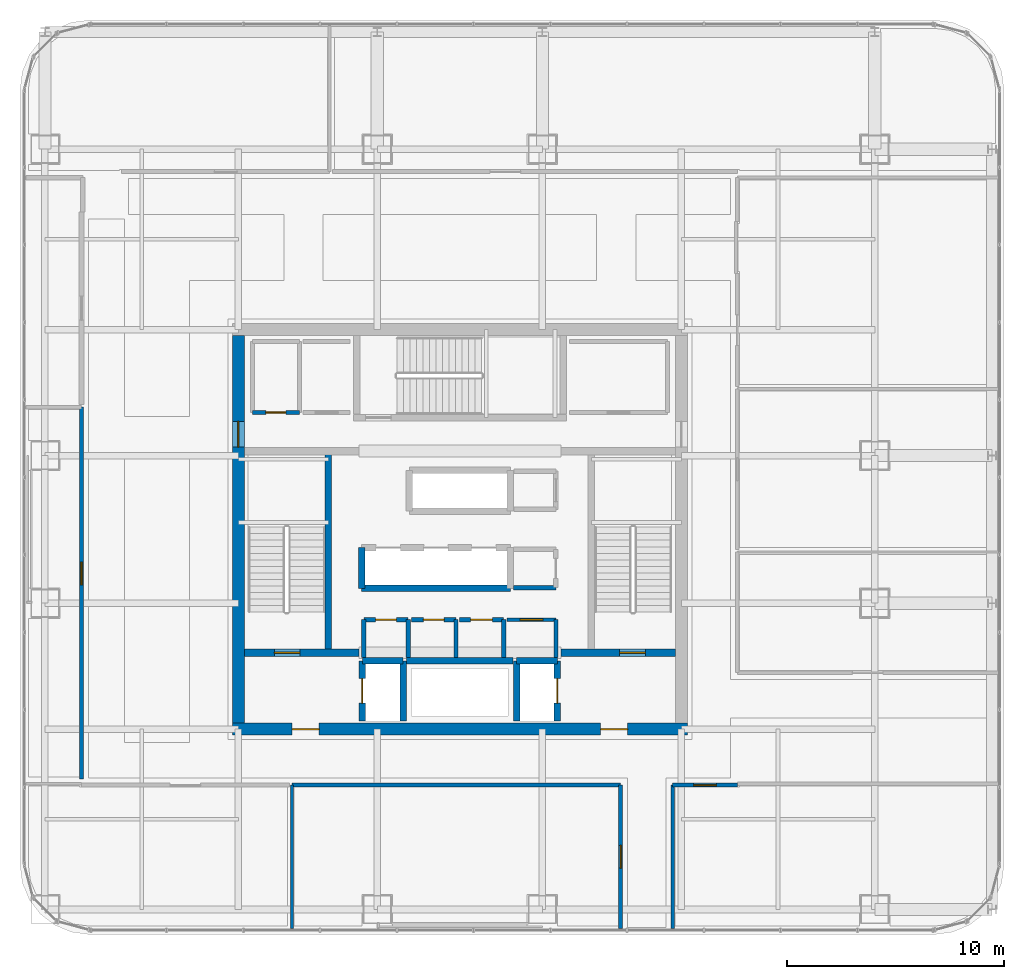
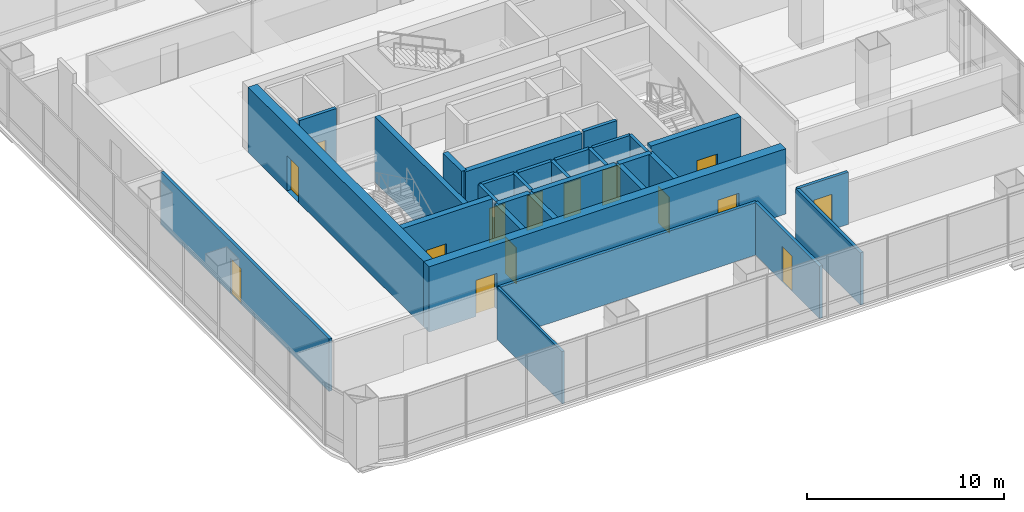
# One storey, part 33 of 42: 31 walls, 15 doors, 15 openings.
"""IFC4 building model written with IfcOpenShell, lengths in metres."""

from ifc_helpers import new_model, si_unit, direction, frame, frame_2d, origin, place, context, subcontext, project, spatial, rectangle, extrude, material, layer, layer_set, type_object, element, fill, save


model = new_model("IFC4")

# Units and contexts
model_context = context("Model", 3, precision=1e-05, world=origin(), true_north=direction((0.0, 1.0)))
body_context = subcontext(model_context, "Body", "Model", "MODEL_VIEW")
ifc_project = project(units=[si_unit("LENGTHUNIT", "METRE"), si_unit("AREAUNIT", "SQUARE_METRE"), si_unit("VOLUMEUNIT", "CUBIC_METRE"), si_unit("PLANEANGLEUNIT", "RADIAN"), si_unit("MASSUNIT", "GRAM", prefix="KILO")], contexts=[model_context])

# Site, building, storey
site_placement = place(None, origin())
site = spatial("IfcSite", under=ifc_project, at=site_placement, CompositionType="ELEMENT")
building_placement = place(site_placement, origin())
building = spatial("IfcBuilding", under=site, at=building_placement, Name="Punatoya Terracotta Tower", CompositionType="ELEMENT")
storey_placement = place(building_placement, frame((0.0, 0.0, 255.449951171875)))
storey = spatial("IfcBuildingStorey", under=building, at=storey_placement, Name="L60", CompositionType="ELEMENT", Elevation=255.449951171875)

# Wall, openings, doors
ifc_material_1 = material(Name="Concrete C50/60", Category="concrete")
ifc_layer_1 = layer(ifc_material_1, 0.550048828125)
ifc_layer_set_1 = layer_set([ifc_layer_1], Name="Concrete C50/60")
wall_type_1 = type_object("IfcWallType", Name="WL-COR-550", PredefinedType="SHEAR", material=ifc_layer_set_1)
wall_1_placement = place(storey_placement, frame((10.47509765625, -9.199951171875, 0.0), z_axis=(0.0, 0.0, 1.0), x_axis=(-1.0, 0.0, 0.0)))
wall_1 = element("IfcWall", 1, at=wall_1_placement, inside=storey, type_object=wall_type_1, Name="L60 Core Shear Wall S", PredefinedType="SHEAR", context=body_context, shape_type="SweptSolid", body=[
    extrude(rectangle(XDim=20.9501953125, YDim=0.550048828125, at=frame_2d((10.47509765625, 0.0))), origin(), (0.0, 0.0, 1.0), 4.050048828125),
])
opening_1_placement = place(wall_1_placement, frame((2.75, 0.0, 0.0)))
opening_1 = element("IfcOpeningElement", 2, at=opening_1_placement, cuts=wall_1, Name="Opening FD-L1", PredefinedType="OPENING", context=body_context, shape_type="SweptSolid", body=[
    extrude(rectangle(XDim=1.25, YDim=2.25, at=frame_2d((0.625, 1.125))), frame((0.0, 0.284912109375, 0.0), z_axis=(0.0, -1.0, 0.0), x_axis=(1.0, 0.0, 0.0)), (0.0, 0.0, 1.0), 0.570068359375),
])
opening_2_placement = place(wall_1_placement, frame((16.949951171875, 0.0, 0.0)))
opening_2 = element("IfcOpeningElement", 3, at=opening_2_placement, cuts=wall_1, Name="Opening FD-L1", PredefinedType="OPENING", context=body_context, shape_type="SweptSolid", body=[
    extrude(rectangle(XDim=1.25, YDim=2.25, at=frame_2d((0.625, 1.125))), frame((0.0, 0.284912109375, 0.0), z_axis=(0.0, -1.0, 0.0), x_axis=(1.0, 0.0, 0.0)), (0.0, 0.0, 1.0), 0.570068359375),
])
ifc_material_2 = material(Name="Galvanised Steel Smokeproof Fire Door", Category="steel")
door_type_1 = type_object("IfcDoorType", Name="DR-FFL-1250", OperationType="NOTDEFINED", PredefinedType="DOOR", material=ifc_material_2)
door_1_placement = place(opening_1_placement, origin())
door_1 = element("IfcDoor", 4, at=door_1_placement, inside=storey, type_object=door_type_1, Name="L60 East Firefighting Lobby Corridor Fire Door", OperationType="SINGLE_SWING_LEFT", OverallHeight=2.25, OverallWidth=1.25, PredefinedType="DOOR", context=body_context, shape_type="SweptSolid", body=[
    extrude(rectangle(XDim=1.25, YDim=2.25, at=frame_2d((0.625, 1.125))), frame((0.0, 0.02490234375, 0.0), z_axis=(0.0, -1.0, 0.0), x_axis=(1.0, 0.0, 0.0)), (0.0, 0.0, 1.0), 0.050048828125),
])
fill(opening_1, door_1)
door_2_placement = place(opening_2_placement, origin())
door_2 = element("IfcDoor", 5, at=door_2_placement, inside=storey, type_object=door_type_1, Name="L60 West Firefighting Lobby Corridor Fire Door", OperationType="SINGLE_SWING_RIGHT", OverallHeight=2.25, OverallWidth=1.25, PredefinedType="DOOR", context=body_context, shape_type="SweptSolid", body=[
    extrude(rectangle(XDim=1.25, YDim=2.25, at=frame_2d((0.625, 1.125))), frame((0.0, 0.02490234375, 0.0), z_axis=(0.0, -1.0, 0.0), x_axis=(1.0, 0.0, 0.0)), (0.0, 0.0, 1.0), 0.050048828125),
])
fill(opening_2, door_2)

# Wall, opening, door
wall_2_placement = place(storey_placement, frame((-10.199951171875, -8.925048828125, 0.0), z_axis=(0.0, 0.0, 1.0), x_axis=(0.0, 1.0, 0.0)))
wall_2 = element("IfcWall", 6, at=wall_2_placement, inside=storey, type_object=wall_type_1, Name="L60 Core Shear Wall W", PredefinedType="SHEAR", context=body_context, shape_type="SweptSolid", body=[
    extrude(rectangle(XDim=17.85009765625, YDim=0.550048828125, at=frame_2d((8.925048828125, 0.0))), origin(), (0.0, 0.0, 1.0), 4.050048828125),
])
opening_3_placement = place(wall_2_placement, frame((12.715087890625, 0.0, 0.0)))
opening_3 = element("IfcOpeningElement", 7, at=opening_3_placement, cuts=wall_2, Name="Opening SD-01", PredefinedType="OPENING", context=body_context, shape_type="SweptSolid", body=[
    extrude(rectangle(XDim=1.179931640625, YDim=2.199951171875, at=frame_2d((0.58984375, 1.10009765625))), frame((0.0, 0.284912109375, 0.0), z_axis=(0.0, -1.0, 0.0), x_axis=(1.0, 0.0, 0.0)), (0.0, 0.0, 1.0), 0.570068359375),
])
ifc_material_3 = material(Name="Galvanised Steel Pressurized Stair Fire Door", Category="steel")
door_type_2 = type_object("IfcDoorType", Name="DR-STR-1180", OperationType="NOTDEFINED", PredefinedType="DOOR", material=ifc_material_3)
door_3_placement = place(opening_3_placement, origin())
door_3 = element("IfcDoor", 8, at=door_3_placement, inside=storey, type_object=door_type_2, Name="L60 Central Lift Lobby West Fire Door", OperationType="SINGLE_SWING_LEFT", OverallHeight=2.199951171875, OverallWidth=1.179931640625, PredefinedType="DOOR", context=body_context, shape_type="SweptSolid", body=[
    extrude(rectangle(XDim=1.179931640625, YDim=2.199951171875, at=frame_2d((0.58984375, 1.10009765625))), frame((0.0, 0.02490234375, 0.0), z_axis=(0.0, -1.0, 0.0), x_axis=(1.0, 0.0, 0.0)), (0.0, 0.0, 1.0), 0.050048828125),
])
fill(opening_3, door_3)

# Wall
ifc_material_4 = material(Name="Gypsum Fireboard + Steel Stud", Category="steel")
ifc_layer_2 = layer(ifc_material_4, 0.179931640625)
ifc_layer_set_2 = layer_set([ifc_layer_2], Name="Gypsum Fireboard + Steel Stud")
wall_type_2 = type_object("IfcWallType", Name="WL-CORR-180", PredefinedType="PARTITIONING", material=ifc_layer_set_2)
wall_3_placement = place(storey_placement, frame((4.419921875, -5.89990234375, 0.0), z_axis=(0.0, 0.0, 1.0), x_axis=(0.0, 1.0, 0.0)))
element("IfcWall", 9, at=wall_3_placement, inside=storey, type_object=wall_type_2, Name="L60 Core Reprographics Studio Partition 08", PredefinedType="PARTITIONING", context=body_context, shape_type="SweptSolid", body=[
    extrude(rectangle(XDim=1.739990234375, YDim=0.179931640625, at=frame_2d((0.8701171875, 0.0))), origin(), (0.0, 0.0, 1.0), 3.85009765625),
])

# Wall, opening, door
wall_4_placement = place(storey_placement, frame((4.419921875, -4.159912109375, 0.0), z_axis=(0.0, 0.0, 1.0), x_axis=(-1.0, 0.0, 0.0)))
wall_4 = element("IfcWall", 10, at=wall_4_placement, inside=storey, type_object=wall_type_2, Name="L60 Core Reprographics Studio Partition 09", PredefinedType="PARTITIONING", context=body_context, shape_type="SweptSolid", body=[
    extrude(rectangle(XDim=2.239990234375, YDim=0.179931640625, at=frame_2d((1.1201171875, 0.0))), origin(), (0.0, 0.0, 1.0), 3.85009765625),
])
opening_4_placement = place(wall_4_placement, frame((0.594970703125, 0.0, 0.0)))
opening_4 = element("IfcOpeningElement", 11, at=opening_4_placement, cuts=wall_4, Name="Opening OD-01", PredefinedType="OPENING", context=body_context, shape_type="SweptSolid", body=[
    extrude(rectangle(XDim=1.050048828125, YDim=2.199951171875, at=frame_2d((0.52490234375, 1.10009765625))), frame((0.0, 0.099853515625, 0.0), z_axis=(0.0, -1.0, 0.0), x_axis=(1.0, 0.0, 0.0)), (0.0, 0.0, 1.0), 0.199951171875),
])
ifc_material_5 = material(Name="Bengal Teak Solid-Core Leaf")
door_type_3 = type_object("IfcDoorType", Name="DR-OFF-1050", OperationType="NOTDEFINED", PredefinedType="DOOR", material=ifc_material_5)
door_4_placement = place(opening_4_placement, origin())
door_4 = element("IfcDoor", 12, at=door_4_placement, inside=storey, type_object=door_type_3, Name="L60 Reprographics Studio Door", OperationType="SINGLE_SWING_RIGHT", OverallHeight=2.199951171875, OverallWidth=1.050048828125, PredefinedType="DOOR", context=body_context, shape_type="SweptSolid", body=[
    extrude(rectangle(XDim=1.050048828125, YDim=2.199951171875, at=frame_2d((0.52490234375, 1.10009765625))), frame((0.0, 0.02490234375, 0.0), z_axis=(0.0, -1.0, 0.0), x_axis=(1.0, 0.0, 0.0)), (0.0, 0.0, 1.0), 0.050048828125),
])
fill(opening_4, door_4)

wall_5_placement = place(storey_placement, frame((7.39990234375, -11.77001953125, 0.0), z_axis=(0.0, 0.0, 1.0), x_axis=(0.0, -1.0, 0.0)))
wall_5 = element("IfcWall", 13, at=wall_5_placement, inside=storey, type_object=wall_type_2, Name="L60 Open-Plan Client Media Salon Partition 25", PredefinedType="PARTITIONING", context=body_context, shape_type="SweptSolid", body=[
    extrude(rectangle(XDim=6.60009765625, YDim=0.179931640625, at=frame_2d((3.300048828125, 0.0))), origin(), (0.0, 0.0, 1.0), 3.244140625),
])
opening_5_placement = place(wall_5_placement, frame((2.77490234375, 0.0, 0.0)))
opening_5 = element("IfcOpeningElement", 14, at=opening_5_placement, cuts=wall_5, Name="Opening OD-01", PredefinedType="OPENING", context=body_context, shape_type="SweptSolid", body=[
    extrude(rectangle(XDim=1.050048828125, YDim=2.199951171875, at=frame_2d((0.52490234375, 1.10009765625))), frame((0.0, 0.099853515625, 0.0), z_axis=(0.0, -1.0, 0.0), x_axis=(1.0, 0.0, 0.0)), (0.0, 0.0, 1.0), 0.199951171875),
])
door_5_placement = place(opening_5_placement, origin())
door_5 = element("IfcDoor", 15, at=door_5_placement, inside=storey, type_object=door_type_3, Name="L60 Open-Plan Client Media Salon Door", OperationType="SINGLE_SWING_RIGHT", OverallHeight=2.199951171875, OverallWidth=1.050048828125, PredefinedType="DOOR", context=body_context, shape_type="SweptSolid", body=[
    extrude(rectangle(XDim=1.050048828125, YDim=2.199951171875, at=frame_2d((0.52490234375, 1.10009765625))), frame((0.0, 0.02490234375, 0.0), z_axis=(0.0, -1.0, 0.0), x_axis=(1.0, 0.0, 0.0)), (0.0, 0.0, 1.0), 0.050048828125),
])
fill(opening_5, door_5)

# Wall
wall_6_placement = place(storey_placement, frame((-7.72607421875, -11.77001953125, 0.0), z_axis=(0.0, 0.0, 1.0), x_axis=(1.0, 0.0, 0.0)))
element("IfcWall", 16, at=wall_6_placement, inside=storey, type_object=wall_type_2, Name="L60 Open-Plan Client Media Salon Partition 27", PredefinedType="PARTITIONING", context=body_context, shape_type="SweptSolid", body=[
    extrude(rectangle(XDim=15.1259765625, YDim=0.179931640625, at=frame_2d((7.56298828125, 0.0))), origin(), (0.0, 0.0, 1.0), 3.244140625),
])

# Wall, opening, door
wall_7_placement = place(storey_placement, frame((9.800048828125, -11.77001953125, 0.0), z_axis=(0.0, 0.0, 1.0), x_axis=(1.0, 0.0, 0.0)))
wall_7 = element("IfcWall", 17, at=wall_7_placement, inside=storey, type_object=wall_type_2, Name="L60 Open-Plan Graphic Design Workplace Partition 30", PredefinedType="PARTITIONING", context=body_context, shape_type="SweptSolid", body=[
    extrude(rectangle(XDim=2.969970703125, YDim=0.179931640625, at=frame_2d((1.48486328125, 0.0))), origin(), (0.0, 0.0, 1.0), 3.244140625),
])
opening_6_placement = place(wall_7_placement, frame((0.9599609375, 0.0, 0.0)))
opening_6 = element("IfcOpeningElement", 18, at=opening_6_placement, cuts=wall_7, Name="Opening OD-01", PredefinedType="OPENING", context=body_context, shape_type="SweptSolid", body=[
    extrude(rectangle(XDim=1.050048828125, YDim=2.199951171875, at=frame_2d((0.52490234375, 1.10009765625))), frame((0.0, 0.099853515625, 0.0), z_axis=(0.0, -1.0, 0.0), x_axis=(1.0, 0.0, 0.0)), (0.0, 0.0, 1.0), 0.199951171875),
])
door_6_placement = place(opening_6_placement, origin())
door_6 = element("IfcDoor", 19, at=door_6_placement, inside=storey, type_object=door_type_3, Name="L60 Open-Plan Graphic Design Workplace Door", OperationType="SINGLE_SWING_RIGHT", OverallHeight=2.199951171875, OverallWidth=1.050048828125, PredefinedType="DOOR", context=body_context, shape_type="SweptSolid", body=[
    extrude(rectangle(XDim=1.050048828125, YDim=2.199951171875, at=frame_2d((0.52490234375, 1.10009765625))), frame((0.0, 0.02490234375, 0.0), z_axis=(0.0, -1.0, 0.0), x_axis=(1.0, 0.0, 0.0)), (0.0, 0.0, 1.0), 0.050048828125),
])
fill(opening_6, door_6)

# Wall
wall_8_placement = place(storey_placement, frame((9.800048828125, -18.3701171875, 0.0), z_axis=(0.0, 0.0, 1.0), x_axis=(0.0, 1.0, 0.0)))
element("IfcWall", 20, at=wall_8_placement, inside=storey, type_object=wall_type_2, Name="L60 Open-Plan Graphic Design Workplace Partition 32", PredefinedType="PARTITIONING", context=body_context, shape_type="SweptSolid", body=[
    extrude(rectangle(XDim=6.60009765625, YDim=0.179931640625, at=frame_2d((3.300048828125, 0.0))), origin(), (0.0, 0.0, 1.0), 3.244140625),
])

# Wall, opening, door
wall_9_placement = place(storey_placement, frame((-17.419921875, 5.6259765625, 0.0), z_axis=(0.0, 0.0, 1.0), x_axis=(0.0, -1.0, 0.0)))
wall_9 = element("IfcWall", 21, at=wall_9_placement, inside=storey, type_object=wall_type_2, Name="L60 Open-Plan Hospitality Tea Pantry Partition 37", PredefinedType="PARTITIONING", context=body_context, shape_type="SweptSolid", body=[
    extrude(rectangle(XDim=17.115966796875, YDim=0.179931640625, at=frame_2d((8.55810546875, 0.0))), origin(), (0.0, 0.0, 1.0), 3.244140625),
])
opening_7_placement = place(wall_9_placement, frame((7.133056640625, 0.0, 0.0)))
opening_7 = element("IfcOpeningElement", 22, at=opening_7_placement, cuts=wall_9, Name="Opening OD-01", PredefinedType="OPENING", context=body_context, shape_type="SweptSolid", body=[
    extrude(rectangle(XDim=1.050048828125, YDim=2.199951171875, at=frame_2d((0.52490234375, 1.10009765625))), frame((0.0, 0.099853515625, 0.0), z_axis=(0.0, -1.0, 0.0), x_axis=(1.0, 0.0, 0.0)), (0.0, 0.0, 1.0), 0.199951171875),
])
door_7_placement = place(opening_7_placement, origin())
door_7 = element("IfcDoor", 23, at=door_7_placement, inside=storey, type_object=door_type_3, Name="L60 Open-Plan Hospitality Tea Pantry Door", OperationType="SINGLE_SWING_RIGHT", OverallHeight=2.199951171875, OverallWidth=1.050048828125, PredefinedType="DOOR", context=body_context, shape_type="SweptSolid", body=[
    extrude(rectangle(XDim=1.050048828125, YDim=2.199951171875, at=frame_2d((0.52490234375, 1.10009765625))), frame((0.0, 0.02490234375, 0.0), z_axis=(0.0, -1.0, 0.0), x_axis=(1.0, 0.0, 0.0)), (0.0, 0.0, 1.0), 0.050048828125),
])
fill(opening_7, door_7)

# Wall
ifc_material_6 = material(Name="Concrete C40/50", Category="concrete")
ifc_layer_3 = layer(ifc_material_6, 0.199951171875)
ifc_layer_set_3 = layer_set([ifc_layer_3], Name="Concrete C40/50")
wall_type_3 = type_object("IfcWallType", Name="WL-INT-200", PredefinedType="SOLIDWALL", material=ifc_layer_set_3)
wall_10_placement = place(storey_placement, frame((-2.3798828125, -5.89990234375, 0.0), z_axis=(0.0, 0.0, 1.0), x_axis=(0.0, 1.0, 0.0)))
element("IfcWall", 24, at=wall_10_placement, inside=storey, type_object=wall_type_3, Name="L60 Male Washroom Partition 01", PredefinedType="SOLIDWALL", context=body_context, shape_type="SweptSolid", body=[
    extrude(rectangle(XDim=1.739990234375, YDim=0.199951171875, at=frame_2d((0.8701171875, 0.0))), origin(), (0.0, 0.0, 1.0), 3.85009765625),
])

# Wall, opening, door
wall_11_placement = place(storey_placement, frame((-2.3798828125, -4.159912109375, 0.0), z_axis=(0.0, 0.0, 1.0), x_axis=(-1.0, 0.0, 0.0)))
wall_11 = element("IfcWall", 25, at=wall_11_placement, inside=storey, type_object=wall_type_3, Name="L60 Male Washroom Partition 02", PredefinedType="SOLIDWALL", context=body_context, shape_type="SweptSolid", body=[
    extrude(rectangle(XDim=2.0400390625, YDim=0.199951171875, at=frame_2d((1.02001953125, 0.0))), origin(), (0.0, 0.0, 1.0), 3.85009765625),
])
opening_8_placement = place(wall_11_placement, frame((0.544921875, 0.0, 0.0)))
opening_8 = element("IfcOpeningElement", 26, at=opening_8_placement, cuts=wall_11, Name="Opening WD-01", PredefinedType="OPENING", context=body_context, shape_type="SweptSolid", body=[
    extrude(rectangle(XDim=0.949951171875, YDim=2.14990234375, at=frame_2d((0.47509765625, 1.074951171875))), frame((0.0, 0.10986328125, 0.0), z_axis=(0.0, -1.0, 0.0), x_axis=(1.0, 0.0, 0.0)), (0.0, 0.0, 1.0), 0.219970703125),
])
ifc_material_7 = material(Name="Moisture-Resistant Laminate Timber Leaf", Category="wood")
door_type_4 = type_object("IfcDoorType", Name="DR-WC-950", OperationType="NOTDEFINED", PredefinedType="DOOR", material=ifc_material_7)
door_8_placement = place(opening_8_placement, origin())
door_8 = element("IfcDoor", 27, at=door_8_placement, inside=storey, type_object=door_type_4, Name="L60 Male Washroom Door", OperationType="SINGLE_SWING_LEFT", OverallHeight=2.14990234375, OverallWidth=0.949951171875, PredefinedType="DOOR", context=body_context, shape_type="SweptSolid", body=[
    extrude(rectangle(XDim=0.949951171875, YDim=2.14990234375, at=frame_2d((0.47509765625, 1.074951171875))), frame((0.0, 0.02490234375, 0.0), z_axis=(0.0, -1.0, 0.0), x_axis=(1.0, 0.0, 0.0)), (0.0, 0.0, 1.0), 0.050048828125),
])
fill(opening_8, door_8)

# Walls
for number, where, z_axis, x_axis, name in (
    (28, (-4.419921875, -4.159912109375, 0.0), (0.0, 0.0, 1.0), (0.0, -1.0, 0.0), "L60 Male Washroom Partition 03"),
    (29, (-0.179931640625, -5.89990234375, 0.0), (0.0, 0.0, 1.0), (0.0, 1.0, 0.0), "L60 Female Washroom Partition 04"),
):
    element("IfcWall", number, at=place(storey_placement, frame(where, z_axis=z_axis, x_axis=x_axis)), inside=storey, type_object=wall_type_3, Name=name, PredefinedType="SOLIDWALL", context=body_context, shape_type="SweptSolid", body=[
        extrude(rectangle(XDim=1.739990234375, YDim=0.199951171875, at=frame_2d((0.8701171875, 0.0))), origin(), (0.0, 0.0, 1.0), 3.85009765625),
    ])

# Wall, opening, door
wall_12_placement = place(storey_placement, frame((-0.179931640625, -4.159912109375, 0.0), z_axis=(0.0, 0.0, 1.0), x_axis=(-1.0, 0.0, 0.0)))
wall_12 = element("IfcWall", 30, at=wall_12_placement, inside=storey, type_object=wall_type_3, Name="L60 Female Washroom Partition 05", PredefinedType="SOLIDWALL", context=body_context, shape_type="SweptSolid", body=[
    extrude(rectangle(XDim=2.0400390625, YDim=0.199951171875, at=frame_2d((1.02001953125, 0.0))), origin(), (0.0, 0.0, 1.0), 3.85009765625),
])
opening_9_placement = place(wall_12_placement, frame((0.544921875, 0.0, 0.0)))
opening_9 = element("IfcOpeningElement", 31, at=opening_9_placement, cuts=wall_12, Name="Opening WD-01", PredefinedType="OPENING", context=body_context, shape_type="SweptSolid", body=[
    extrude(rectangle(XDim=0.949951171875, YDim=2.14990234375, at=frame_2d((0.47509765625, 1.074951171875))), frame((0.0, 0.10986328125, 0.0), z_axis=(0.0, -1.0, 0.0), x_axis=(1.0, 0.0, 0.0)), (0.0, 0.0, 1.0), 0.219970703125),
])
door_9_placement = place(opening_9_placement, origin())
door_9 = element("IfcDoor", 32, at=door_9_placement, inside=storey, type_object=door_type_4, Name="L60 Female Washroom Door", OperationType="SINGLE_SWING_RIGHT", OverallHeight=2.14990234375, OverallWidth=0.949951171875, PredefinedType="DOOR", context=body_context, shape_type="SweptSolid", body=[
    extrude(rectangle(XDim=0.949951171875, YDim=2.14990234375, at=frame_2d((0.47509765625, 1.074951171875))), frame((0.0, 0.02490234375, 0.0), z_axis=(0.0, -1.0, 0.0), x_axis=(1.0, 0.0, 0.0)), (0.0, 0.0, 1.0), 0.050048828125),
])
fill(opening_9, door_9)

# Wall
wall_13_placement = place(storey_placement, frame((2.02001953125, -5.89990234375, 0.0), z_axis=(0.0, 0.0, 1.0), x_axis=(0.0, 1.0, 0.0)))
element("IfcWall", 33, at=wall_13_placement, inside=storey, type_object=wall_type_3, Name="L60 Accessible Universal Washroom Partition 06", PredefinedType="SOLIDWALL", context=body_context, shape_type="SweptSolid", body=[
    extrude(rectangle(XDim=1.739990234375, YDim=0.199951171875, at=frame_2d((0.8701171875, 0.0))), origin(), (0.0, 0.0, 1.0), 3.85009765625),
])

# Wall, opening, door
wall_14_placement = place(storey_placement, frame((2.02001953125, -4.159912109375, 0.0), z_axis=(0.0, 0.0, 1.0), x_axis=(-1.0, 0.0, 0.0)))
wall_14 = element("IfcWall", 34, at=wall_14_placement, inside=storey, type_object=wall_type_3, Name="L60 Accessible Universal Washroom Partition 07", PredefinedType="SOLIDWALL", context=body_context, shape_type="SweptSolid", body=[
    extrude(rectangle(XDim=2.0400390625, YDim=0.199951171875, at=frame_2d((1.02001953125, 0.0))), origin(), (0.0, 0.0, 1.0), 3.85009765625),
])
opening_10_placement = place(wall_14_placement, frame((0.52001953125, 0.0, 0.0)))
opening_10 = element("IfcOpeningElement", 35, at=opening_10_placement, cuts=wall_14, Name="Opening AWD-1", PredefinedType="OPENING", context=body_context, shape_type="SweptSolid", body=[
    extrude(rectangle(XDim=1.0, YDim=2.14990234375, at=frame_2d((0.5, 1.074951171875))), frame((0.0, 0.10986328125, 0.0), z_axis=(0.0, -1.0, 0.0), x_axis=(1.0, 0.0, 0.0)), (0.0, 0.0, 1.0), 0.219970703125),
])
ifc_material_8 = material(Name="Bengal Teak Accessible WC Leaf")
door_type_5 = type_object("IfcDoorType", Name="DR-ACC-1000", OperationType="NOTDEFINED", PredefinedType="DOOR", material=ifc_material_8)
door_10_placement = place(opening_10_placement, origin())
door_10 = element("IfcDoor", 36, at=door_10_placement, inside=storey, type_object=door_type_5, Name="L60 Accessible Universal Washroom Door", OperationType="SINGLE_SWING_LEFT", OverallHeight=2.14990234375, OverallWidth=1.0, PredefinedType="DOOR", context=body_context, shape_type="SweptSolid", body=[
    extrude(rectangle(XDim=1.0, YDim=2.14990234375, at=frame_2d((0.5, 1.074951171875))), frame((0.0, 0.02490234375, 0.0), z_axis=(0.0, -1.0, 0.0), x_axis=(1.0, 0.0, 0.0)), (0.0, 0.0, 1.0), 0.050048828125),
])
fill(opening_10, door_10)

# Wall
wall_15_placement = place(storey_placement, frame((2.47998046875, -2.679931640625, 0.0), z_axis=(0.0, 0.0, 1.0), x_axis=(1.0, 0.0, 0.0)))
element("IfcWall", 37, at=wall_15_placement, inside=storey, type_object=wall_type_3, Name="L60 East Core Reprographics Store Partition 12", PredefinedType="SOLIDWALL", context=body_context, shape_type="SweptSolid", body=[
    extrude(rectangle(XDim=1.93994140625, YDim=0.199951171875, at=frame_2d((0.969970703125, 0.0))), origin(), (0.0, 0.0, 1.0), 3.85009765625),
])

# Wall, opening, door
wall_16_placement = place(storey_placement, frame((-9.550048828125, 5.3798828125, 0.0), z_axis=(0.0, 0.0, 1.0), x_axis=(1.0, 0.0, 0.0)))
wall_16 = element("IfcWall", 38, at=wall_16_placement, inside=storey, type_object=wall_type_3, Name="L60 West Core Archive Vault Partition 19", PredefinedType="SOLIDWALL", context=body_context, shape_type="SweptSolid", body=[
    extrude(rectangle(XDim=2.170166015625, YDim=0.199951171875, at=frame_2d((1.0849609375, 0.0))), origin(), (0.0, 0.0, 1.0), 3.85009765625),
])
opening_11_placement = place(wall_16_placement, frame((0.625, 0.0, 0.0)))
opening_11 = element("IfcOpeningElement", 39, at=opening_11_placement, cuts=wall_16, Name="Opening FD-R1", PredefinedType="OPENING", context=body_context, shape_type="SweptSolid", body=[
    extrude(rectangle(XDim=0.919921875, YDim=2.10009765625, at=frame_2d((0.4599609375, 1.050048828125))), frame((0.0, 0.10986328125, 0.0), z_axis=(0.0, -1.0, 0.0), x_axis=(1.0, 0.0, 0.0)), (0.0, 0.0, 1.0), 0.219970703125),
])
ifc_material_9 = material(Name="Galvanised Steel Riser Fire Access Door", Category="steel")
door_type_6 = type_object("IfcDoorType", Name="DR-RSR-920", OperationType="NOTDEFINED", PredefinedType="DOOR", material=ifc_material_9)
door_11_placement = place(opening_11_placement, origin())
door_11 = element("IfcDoor", 40, at=door_11_placement, inside=storey, type_object=door_type_6, Name="L60 West Core Archive Vault Fire Door", OperationType="SINGLE_SWING_LEFT", OverallHeight=2.10009765625, OverallWidth=0.919921875, PredefinedType="DOOR", context=body_context, shape_type="SweptSolid", body=[
    extrude(rectangle(XDim=0.919921875, YDim=2.10009765625, at=frame_2d((0.4599609375, 1.050048828125))), frame((0.0, 0.02490234375, 0.0), z_axis=(0.0, -1.0, 0.0), x_axis=(1.0, 0.0, 0.0)), (0.0, 0.0, 1.0), 0.050048828125),
])
fill(opening_11, door_11)

# Walls
ifc_material_10 = material(Name="Acoustic Gypsum + Steel Stud", Category="steel")
ifc_layer_4 = layer(ifc_material_10, 0.139892578125)
ifc_layer_set_4 = layer_set([ifc_layer_4], Name="Acoustic Gypsum + Steel Stud")
wall_type_4 = type_object("IfcWallType", Name="WL-OFF-140", PredefinedType="PARTITIONING", material=ifc_layer_set_4)
wall_17_placement = place(storey_placement, frame((-7.72607421875, -18.3701171875, 0.0), z_axis=(0.0, 0.0, 1.0), x_axis=(0.0, 1.0, 0.0)))
element("IfcWall", 41, at=wall_17_placement, inside=storey, type_object=wall_type_4, Name="L60 Open-Plan Client Media Salon Partition 26", PredefinedType="PARTITIONING", context=body_context, shape_type="SweptSolid", body=[
    extrude(rectangle(XDim=6.60009765625, YDim=0.139892578125, at=frame_2d((3.300048828125, 0.0))), origin(), (0.0, 0.0, 1.0), 3.244140625),
])
ifc_layer_5 = layer(ifc_material_6, 0.300048828125)
ifc_layer_set_5 = layer_set([ifc_layer_5], Name="Concrete C40/50")
wall_type_5 = type_object("IfcWallType", Name="WL-SHF-300", PredefinedType="SOLIDWALL", material=ifc_layer_set_5)
wall_18_placement = place(storey_placement, frame((-6.050048828125, -5.5, 0.0), z_axis=(0.0, 0.0, 1.0), x_axis=(0.0, 1.0, 0.0)))
element("IfcWall", 42, at=wall_18_placement, inside=storey, type_object=wall_type_5, Name="L60 Structural Stair Shaft Wall SW-ST1-E", PredefinedType="SOLIDWALL", context=body_context, shape_type="SweptSolid", body=[
    extrude(rectangle(XDim=8.949951171875, YDim=0.300048828125, at=frame_2d((4.47509765625, 0.0))), origin(), (0.0, 0.0, 1.0), 4.050048828125),
])

# Wall, opening, door
wall_19_placement = place(storey_placement, frame((-4.489990234375, -8.820068359375, 0.0), z_axis=(0.0, 0.0, 1.0), x_axis=(0.0, 1.0, 0.0)))
wall_19 = element("IfcWall", 43, at=wall_19_placement, inside=storey, type_object=wall_type_5, Name="L60 FFL-1 Front Hoistway Wall", PredefinedType="SOLIDWALL", context=body_context, shape_type="SweptSolid", body=[
    extrude(rectangle(XDim=2.77001953125, YDim=0.300048828125, at=frame_2d((1.385009765625, 0.0))), origin(), (0.0, 0.0, 1.0), 3.85009765625),
])
opening_12_placement = place(wall_19_placement, frame((0.824951171875, 0.0, 0.0)))
opening_12 = element("IfcOpeningElement", 44, at=opening_12_placement, cuts=wall_19, Name="Opening LD-02", PredefinedType="OPENING", context=body_context, shape_type="SweptSolid", body=[
    extrude(rectangle(XDim=1.1201171875, YDim=2.25, at=frame_2d((0.56005859375, 1.125))), frame((0.0, 0.159912109375, 0.0), z_axis=(0.0, -1.0, 0.0), x_axis=(1.0, 0.0, 0.0)), (0.0, 0.0, 1.0), 0.320068359375),
])
ifc_material_11 = material(Name="Stainless Steel Lift Landing Door", Category="steel")
door_type_7 = type_object("IfcDoorType", Name="DR-LND-1120", OperationType="NOTDEFINED", PredefinedType="DOOR", material=ifc_material_11)
door_12_placement = place(opening_12_placement, origin())
door_12 = element("IfcDoor", 45, at=door_12_placement, inside=storey, type_object=door_type_7, Name="L60 Firefighting Lift FFL-1 Sliding Landing Door", OperationType="SLIDING_TO_LEFT", OverallHeight=2.25, OverallWidth=1.1201171875, PredefinedType="DOOR", context=body_context, shape_type="SweptSolid", body=[
    extrude(rectangle(XDim=1.1201171875, YDim=2.25, at=frame_2d((0.56005859375, 1.125))), frame((0.0, 0.02490234375, 0.0), z_axis=(0.0, -1.0, 0.0), x_axis=(1.0, 0.0, 0.0)), (0.0, 0.0, 1.0), 0.050048828125),
])
fill(opening_12, door_12)

# Walls
wall_20_placement = place(storey_placement, frame((-2.610107421875, -8.820068359375, 0.0), z_axis=(0.0, 0.0, 1.0), x_axis=(0.0, 1.0, 0.0)))
element("IfcWall", 46, at=wall_20_placement, inside=storey, type_object=wall_type_5, Name="L60 FFL-1 Rear Hoistway Wall", PredefinedType="SOLIDWALL", context=body_context, shape_type="SweptSolid", body=[
    extrude(rectangle(XDim=2.77001953125, YDim=0.300048828125, at=frame_2d((1.385009765625, 0.0))), origin(), (0.0, 0.0, 1.0), 3.85009765625),
])
wall_21_placement = place(storey_placement, frame((-4.489990234375, -6.050048828125, 0.0), z_axis=(0.0, 0.0, 1.0), x_axis=(1.0, 0.0, 0.0)))
element("IfcWall", 47, at=wall_21_placement, inside=storey, type_object=wall_type_5, Name="L60 FFL-1 North Hoistway Wall", PredefinedType="SOLIDWALL", context=body_context, shape_type="SweptSolid", body=[
    extrude(rectangle(XDim=1.8798828125, YDim=0.300048828125, at=frame_2d((0.93994140625, 0.0))), origin(), (0.0, 0.0, 1.0), 3.85009765625),
])

# Wall, opening, door
wall_22_placement = place(storey_placement, frame((4.489990234375, -8.820068359375, 0.0), z_axis=(0.0, 0.0, 1.0), x_axis=(0.0, 1.0, 0.0)))
wall_22 = element("IfcWall", 48, at=wall_22_placement, inside=storey, type_object=wall_type_5, Name="L60 FFL-2 Front Hoistway Wall", PredefinedType="SOLIDWALL", context=body_context, shape_type="SweptSolid", body=[
    extrude(rectangle(XDim=2.77001953125, YDim=0.300048828125, at=frame_2d((1.385009765625, 0.0))), origin(), (0.0, 0.0, 1.0), 3.85009765625),
])
opening_13_placement = place(wall_22_placement, frame((0.824951171875, 0.0, 0.0)))
opening_13 = element("IfcOpeningElement", 49, at=opening_13_placement, cuts=wall_22, Name="Opening LD-02", PredefinedType="OPENING", context=body_context, shape_type="SweptSolid", body=[
    extrude(rectangle(XDim=1.1201171875, YDim=2.25, at=frame_2d((0.56005859375, 1.125))), frame((0.0, 0.159912109375, 0.0), z_axis=(0.0, -1.0, 0.0), x_axis=(1.0, 0.0, 0.0)), (0.0, 0.0, 1.0), 0.320068359375),
])
door_13_placement = place(opening_13_placement, origin())
door_13 = element("IfcDoor", 50, at=door_13_placement, inside=storey, type_object=door_type_7, Name="L60 Firefighting Lift FFL-2 Sliding Landing Door", OperationType="SLIDING_TO_RIGHT", OverallHeight=2.25, OverallWidth=1.1201171875, PredefinedType="DOOR", context=body_context, shape_type="SweptSolid", body=[
    extrude(rectangle(XDim=1.1201171875, YDim=2.25, at=frame_2d((0.56005859375, 1.125))), frame((0.0, 0.02490234375, 0.0), z_axis=(0.0, -1.0, 0.0), x_axis=(1.0, 0.0, 0.0)), (0.0, 0.0, 1.0), 0.050048828125),
])
fill(opening_13, door_13)

# Walls
wall_23_placement = place(storey_placement, frame((2.610107421875, -8.820068359375, 0.0), z_axis=(0.0, 0.0, 1.0), x_axis=(0.0, 1.0, 0.0)))
element("IfcWall", 51, at=wall_23_placement, inside=storey, type_object=wall_type_5, Name="L60 FFL-2 Rear Hoistway Wall", PredefinedType="SOLIDWALL", context=body_context, shape_type="SweptSolid", body=[
    extrude(rectangle(XDim=2.77001953125, YDim=0.300048828125, at=frame_2d((1.385009765625, 0.0))), origin(), (0.0, 0.0, 1.0), 3.85009765625),
])
wall_24_placement = place(storey_placement, frame((2.610107421875, -6.050048828125, 0.0), z_axis=(0.0, 0.0, 1.0), x_axis=(1.0, 0.0, 0.0)))
element("IfcWall", 52, at=wall_24_placement, inside=storey, type_object=wall_type_5, Name="L60 FFL-2 North Hoistway Wall", PredefinedType="SOLIDWALL", context=body_context, shape_type="SweptSolid", body=[
    extrude(rectangle(XDim=1.8798828125, YDim=0.300048828125, at=frame_2d((0.93994140625, 0.0))), origin(), (0.0, 0.0, 1.0), 3.85009765625),
])
wall_25_placement = place(storey_placement, frame((-4.52001953125, -2.719970703125, 0.0), z_axis=(0.0, 0.0, 1.0), x_axis=(1.0, 0.0, 0.0)))
element("IfcWall", 53, at=wall_25_placement, inside=storey, type_object=wall_type_5, Name="L60 South Lift Bank Rear Shaft Wall", PredefinedType="SOLIDWALL", context=body_context, shape_type="SweptSolid", body=[
    extrude(rectangle(XDim=6.840087890625, YDim=0.300048828125, at=frame_2d((3.419921875, 0.0))), origin(), (0.0, 0.0, 1.0), 3.85009765625),
])
wall_26_placement = place(storey_placement, frame((-4.52001953125, -2.719970703125, 0.0), z_axis=(0.0, 0.0, 1.0), x_axis=(0.0, 1.0, 0.0)))
element("IfcWall", 54, at=wall_26_placement, inside=storey, type_object=wall_type_5, Name="L60 South Lift Bank West End Wall", PredefinedType="SOLIDWALL", context=body_context, shape_type="SweptSolid", body=[
    extrude(rectangle(XDim=1.8798828125, YDim=0.300048828125, at=frame_2d((0.93994140625, 0.0))), origin(), (0.0, 0.0, 1.0), 3.85009765625),
])
wall_27_placement = place(storey_placement, frame((-2.449951171875, -6.050048828125, 0.0), z_axis=(0.0, 0.0, 1.0), x_axis=(1.0, 0.0, 0.0)))
element("IfcWall", 55, at=wall_27_placement, inside=storey, type_object=wall_type_5, Name="L60 Observation Shuttle Rear Hoistway Wall", PredefinedType="SOLIDWALL", context=body_context, shape_type="SweptSolid", body=[
    extrude(rectangle(XDim=4.89990234375, YDim=0.300048828125, at=frame_2d((2.449951171875, 0.0))), origin(), (0.0, 0.0, 1.0), 3.85009765625),
])

# Wall, opening, door
ifc_layer_6 = layer(ifc_material_1, 0.35009765625)
ifc_layer_set_6 = layer_set([ifc_layer_6], Name="Concrete C50/60")
wall_type_6 = type_object("IfcWallType", Name="WL-SHF-350", PredefinedType="SOLIDWALL", material=ifc_layer_set_6)
wall_28_placement = place(storey_placement, frame((-9.925048828125, -5.679931640625, 0.0), z_axis=(0.0, 0.0, 1.0), x_axis=(1.0, 0.0, 0.0)))
wall_28 = element("IfcWall", 56, at=wall_28_placement, inside=storey, type_object=wall_type_6, Name="L60 Core Web Wall CSW-L", PredefinedType="SOLIDWALL", context=body_context, shape_type="SweptSolid", body=[
    extrude(rectangle(XDim=5.275146484375, YDim=0.35009765625, at=frame_2d((2.6376953125, 0.0))), origin(), (0.0, 0.0, 1.0), 4.050048828125),
])
opening_14_placement = place(wall_28_placement, frame((1.385009765625, 0.0, 0.0)))
opening_14 = element("IfcOpeningElement", 57, at=opening_14_placement, cuts=wall_28, Name="Opening SD-01", PredefinedType="OPENING", context=body_context, shape_type="SweptSolid", body=[
    extrude(rectangle(XDim=1.179931640625, YDim=2.199951171875, at=frame_2d((0.58984375, 1.10009765625))), frame((0.0, 0.18505859375, 0.0), z_axis=(0.0, -1.0, 0.0), x_axis=(1.0, 0.0, 0.0)), (0.0, 0.0, 1.0), 0.3701171875),
])
door_14_placement = place(opening_14_placement, origin())
door_14 = element("IfcDoor", 58, at=door_14_placement, inside=storey, type_object=door_type_2, Name="L60 Stair ST-1 Smokeproof Lobby Fire Door", OperationType="SINGLE_SWING_LEFT", OverallHeight=2.199951171875, OverallWidth=1.179931640625, PredefinedType="DOOR", context=body_context, shape_type="SweptSolid", body=[
    extrude(rectangle(XDim=1.179931640625, YDim=2.199951171875, at=frame_2d((0.58984375, 1.10009765625))), frame((0.0, 0.02490234375, 0.0), z_axis=(0.0, -1.0, 0.0), x_axis=(1.0, 0.0, 0.0)), (0.0, 0.0, 1.0), 0.050048828125),
])
fill(opening_14, door_14)

wall_29_placement = place(storey_placement, frame((4.64990234375, -5.679931640625, 0.0), z_axis=(0.0, 0.0, 1.0), x_axis=(1.0, 0.0, 0.0)))
wall_29 = element("IfcWall", 59, at=wall_29_placement, inside=storey, type_object=wall_type_6, Name="L60 Core Web Wall CSW-R", PredefinedType="SOLIDWALL", context=body_context, shape_type="SweptSolid", body=[
    extrude(rectangle(XDim=5.275146484375, YDim=0.35009765625, at=frame_2d((2.6376953125, 0.0))), origin(), (0.0, 0.0, 1.0), 4.050048828125),
])
opening_15_placement = place(wall_29_placement, frame((2.7099609375, 0.0, 0.0)))
opening_15 = element("IfcOpeningElement", 60, at=opening_15_placement, cuts=wall_29, Name="Opening SD-01", PredefinedType="OPENING", context=body_context, shape_type="SweptSolid", body=[
    extrude(rectangle(XDim=1.179931640625, YDim=2.199951171875, at=frame_2d((0.58984375, 1.10009765625))), frame((0.0, 0.18505859375, 0.0), z_axis=(0.0, -1.0, 0.0), x_axis=(1.0, 0.0, 0.0)), (0.0, 0.0, 1.0), 0.3701171875),
])
door_15_placement = place(opening_15_placement, origin())
door_15 = element("IfcDoor", 61, at=door_15_placement, inside=storey, type_object=door_type_2, Name="L60 Stair ST-2 Smokeproof Lobby Fire Door", OperationType="SINGLE_SWING_RIGHT", OverallHeight=2.199951171875, OverallWidth=1.179931640625, PredefinedType="DOOR", context=body_context, shape_type="SweptSolid", body=[
    extrude(rectangle(XDim=1.179931640625, YDim=2.199951171875, at=frame_2d((0.58984375, 1.10009765625))), frame((0.0, 0.02490234375, 0.0), z_axis=(0.0, -1.0, 0.0), x_axis=(1.0, 0.0, 0.0)), (0.0, 0.0, 1.0), 0.050048828125),
])
fill(opening_15, door_15)

save(model, "model.ifc")
